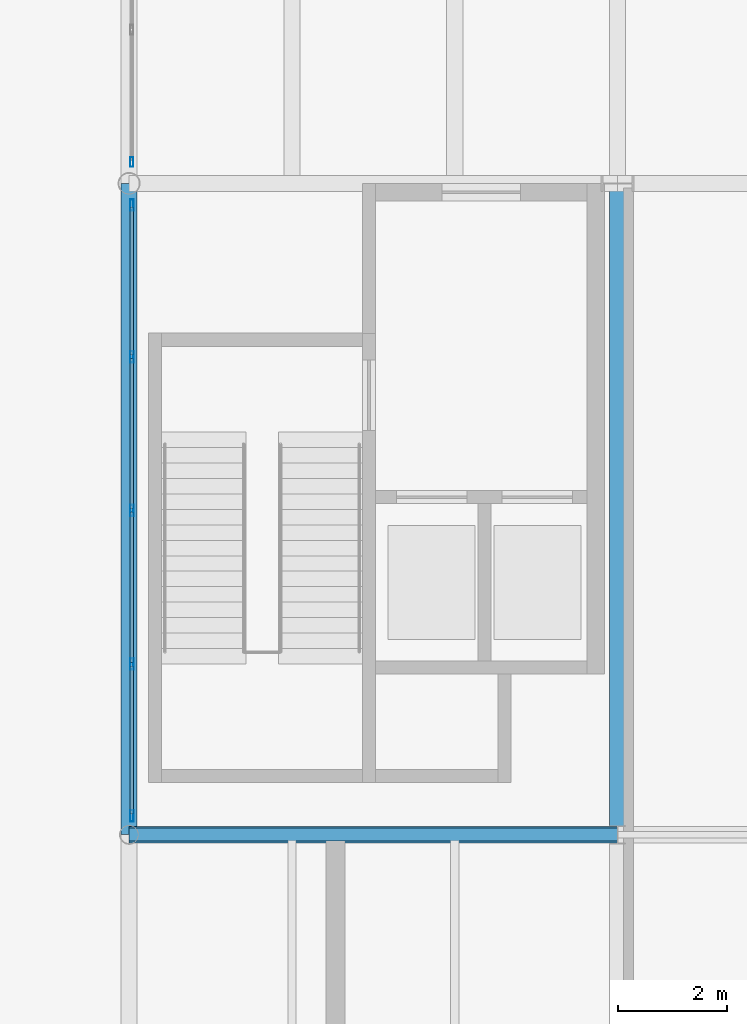
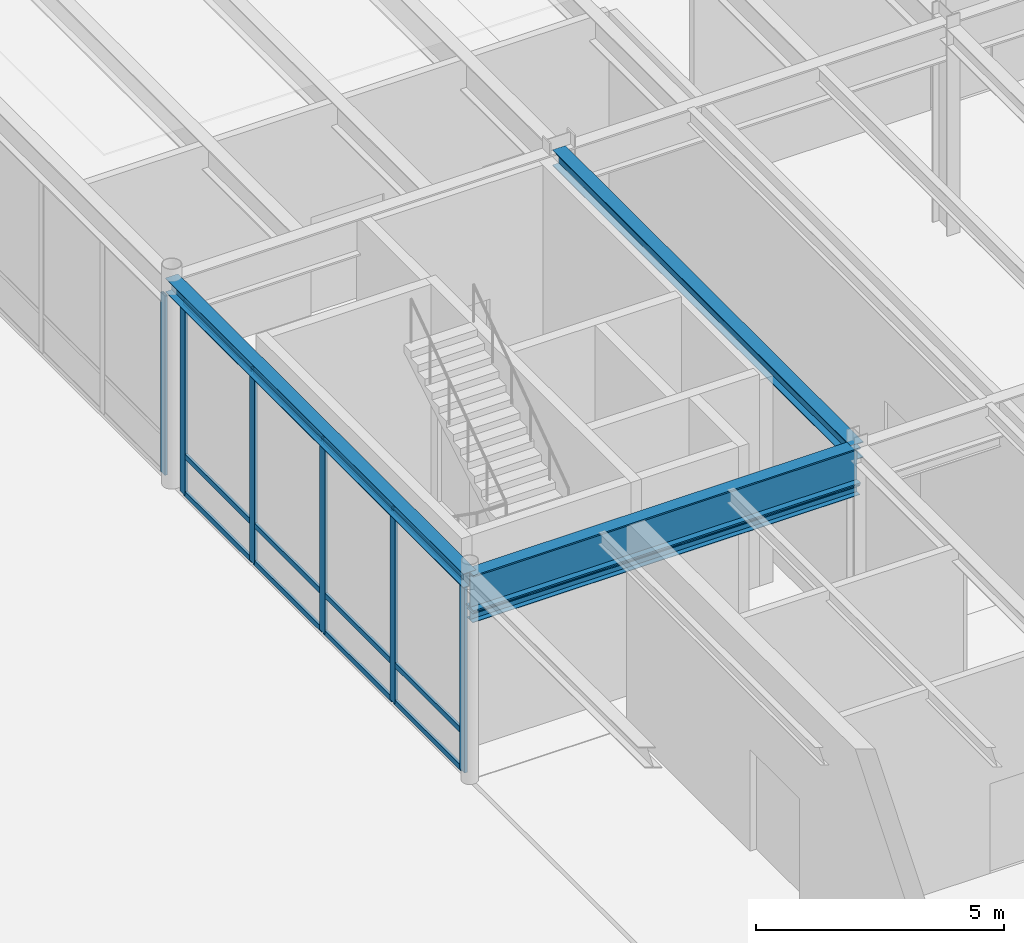
# One storey, part 76 of 143: 18 members, 4 beams, 2 elements without a shape of their own.
"""IFC4 building model written with IfcOpenShell, lengths in metres."""

from ifc_helpers import new_model, si_unit, direction, frame, origin, origin_2d, place, context, subcontext, project, spatial, hollow_rectangle, i_section, extrude, material, layer, layer_set, material_profile, profile_set, type_object, element, aggregate, save


model = new_model("IFC4")

# Units and contexts
model_context = context("Model", 3, precision=1e-05, world=origin(), true_north=direction((0.0, 1.0)))
body_context = subcontext(model_context, "Body", "Model", "MODEL_VIEW")
ifc_project = project(units=[si_unit("LENGTHUNIT", "METRE"), si_unit("AREAUNIT", "SQUARE_METRE"), si_unit("VOLUMEUNIT", "CUBIC_METRE"), si_unit("PLANEANGLEUNIT", "RADIAN"), si_unit("MASSUNIT", "GRAM", prefix="KILO")], contexts=[model_context])

# Site, building, storey
site_placement = place(None, origin())
site = spatial("IfcSite", under=ifc_project, at=site_placement, CompositionType="ELEMENT")
building_placement = place(site_placement, origin())
building = spatial("IfcBuilding", under=site, at=building_placement, Name="Montelvaro Courts of Justice", CompositionType="ELEMENT")
storey_placement = place(building_placement, origin())
storey = spatial("IfcBuildingStorey", under=building, at=storey_placement, Name="L00", CompositionType="ELEMENT", Elevation=0.0)

# Beams
ifc_material_1 = material(Name="Steel S355", Category="steel")
ifc_material_profile_1 = material_profile(ifc_material_1, i_section(OverallWidth=0.239990234375, OverallDepth=0.22998046875, WebThickness=0.007568359375, FlangeThickness=0.011962890625, at=origin_2d()), Name="HEA 240")
ifc_profile_set_1 = profile_set([ifc_material_profile_1], Name="Steel S355")
beam_type_1 = type_object("IfcBeamType", Name="Beam_HEA240", PredefinedType="LINTEL", material=ifc_profile_set_1)
beam_1_placement = place(storey_placement, frame((99.0, 66.0, 4.034912109375), z_axis=(1.0, 0.0, 0.0), x_axis=(0.0, 1.0, 0.0)))
element("IfcBeam", 1, at=beam_1_placement, inside=storey, type_object=beam_type_1, Name="Beam B-13 L00", PredefinedType="LINTEL", context=body_context, shape_type="SweptSolid", body=[
    extrude(i_section(OverallWidth=0.239990234375, OverallDepth=0.22998046875, WebThickness=0.007568359375, FlangeThickness=0.011962890625, at=origin_2d()), origin(), (0.0, 0.0, 1.0), 9.0),
])
ifc_material_profile_2 = material_profile(ifc_material_1, i_section(OverallWidth=0.300048828125, OverallDepth=0.35009765625, WebThickness=0.010009765625, FlangeThickness=0.017578125, at=origin_2d()), Name="HEA 360")
ifc_profile_set_2 = profile_set([ifc_material_profile_2], Name="Steel S355")
beam_type_2 = type_object("IfcBeamType", Name="Beam_HEA360", PredefinedType="USERDEFINED", material=ifc_profile_set_2)
beam_2_placement = place(storey_placement, frame((99.0, 66.0, 4.925048828125), z_axis=(0.0, 1.0, 0.0), x_axis=(-1.0, 0.0, 0.0)))
element("IfcBeam", 2, at=beam_2_placement, inside=storey, type_object=beam_type_2, Name="Beam B-16 L00", ObjectType="GIRDER", PredefinedType="USERDEFINED", context=body_context, shape_type="SweptSolid", body=[
    extrude(i_section(OverallWidth=0.300048828125, OverallDepth=0.35009765625, WebThickness=0.010009765625, FlangeThickness=0.017578125, at=origin_2d()), origin(), (0.0, 0.0, 1.0), 12.0),
])
ifc_material_profile_3 = material_profile(ifc_material_1, i_section(OverallWidth=0.300048828125, OverallDepth=0.389892578125, WebThickness=0.010986328125, FlangeThickness=0.01904296875, at=origin_2d()), Name="HEA 400")
ifc_profile_set_3 = profile_set([ifc_material_profile_3], Name="Steel S355")
beam_type_3 = type_object("IfcBeamType", Name="Beam_HEA400", PredefinedType="USERDEFINED", material=ifc_profile_set_3)
beam_3_placement = place(storey_placement, frame((108.0, 66.0, 4.905029296875), z_axis=(0.0, 1.0, 0.0), x_axis=(-1.0, 0.0, 0.0)))
element("IfcBeam", 3, at=beam_3_placement, inside=storey, type_object=beam_type_3, Name="Beam B-17 L00", ObjectType="GIRDER", PredefinedType="USERDEFINED", context=body_context, shape_type="SweptSolid", body=[
    extrude(i_section(OverallWidth=0.300048828125, OverallDepth=0.389892578125, WebThickness=0.010986328125, FlangeThickness=0.01904296875, at=origin_2d()), origin(), (0.0, 0.0, 1.0), 12.0),
])
ifc_material_profile_4 = material_profile(ifc_material_1, i_section(OverallWidth=0.300048828125, OverallDepth=0.89990234375, WebThickness=0.0185546875, FlangeThickness=0.034912109375, at=origin_2d()), Name="HEB 900")
ifc_profile_set_4 = profile_set([ifc_material_profile_4], Name="Steel S355")
beam_type_4 = type_object("IfcBeamType", Name="Beam_HEB900", PredefinedType="USERDEFINED", material=ifc_profile_set_4)
beam_4_placement = place(storey_placement, frame((99.0, 66.0, 4.64990234375), z_axis=(1.0, 0.0, 0.0), x_axis=(0.0, 1.0, 0.0)))
element("IfcBeam", 4, at=beam_4_placement, inside=storey, type_object=beam_type_4, Name="Beam B-30 L00", ObjectType="GIRDER", PredefinedType="USERDEFINED", context=body_context, shape_type="SweptSolid", body=[
    extrude(i_section(OverallWidth=0.300048828125, OverallDepth=0.89990234375, WebThickness=0.0185546875, FlangeThickness=0.034912109375, at=origin_2d()), origin(), (0.0, 0.0, 1.0), 9.0),
])

# Curtain wall, member
ifc_material_2 = material(Name="Anodised aluminium EN AW-6063", Category="aluminium")
ifc_layer_1 = layer(ifc_material_2, 0.159912109375)
ifc_layer_set_1 = layer_set([ifc_layer_1], Name="Anodised aluminium EN AW-6063")
curtain_wall_type_1 = type_object("IfcCurtainWallType", Name="CurtainWall_02_1727x508", PredefinedType="USERDEFINED", material=ifc_layer_set_1)
curtain_wall_1_placement = place(storey_placement, origin())
curtain_wall_1 = element("IfcCurtainWall", 5, at=curtain_wall_1_placement, inside=storey, type_object=curtain_wall_type_1, Name="Curtain Wall CW-02 (L00)", ObjectType="CURTAIN WALL", PredefinedType="USERDEFINED")
ifc_material_profile_5 = material_profile(ifc_material_2, hollow_rectangle(XDim=0.06005859375, YDim=0.179931640625, WallThickness=0.00439453125, at=origin_2d()), Name="ALU-M 60x180")
ifc_profile_set_5 = profile_set([ifc_material_profile_5], Name="Anodised aluminium EN AW-6063")
member_type_1 = type_object("IfcMemberType", Name="CurtainWall_Mullion_60x180", PredefinedType="MULLION", material=ifc_profile_set_5)
member_1_placement = place(storey_placement, frame((99.050048828125, 78.39501953125, 0.0), z_axis=(0.0, 0.0, 1.0), x_axis=(1.0, 0.0, 0.0)))
member_1 = element("IfcMember", 6, at=member_1_placement, type_object=member_type_1, Name="CW-02 mullion 8", PredefinedType="MULLION", context=body_context, shape_type="SweptSolid", body=[
    extrude(hollow_rectangle(XDim=0.06005859375, YDim=0.179931640625, WallThickness=0.00439453125, at=origin_2d()), origin(), (0.0, 0.0, 1.0), 4.405029296875),
])
aggregate(curtain_wall_1, [member_1])

# Curtain wall, members
ifc_layer_2 = layer(ifc_material_2, 0.159912109375)
ifc_layer_set_2 = layer_set([ifc_layer_2], Name="Anodised aluminium EN AW-6063")
curtain_wall_type_2 = type_object("IfcCurtainWallType", Name="CurtainWall_03_1132x508", PredefinedType="USERDEFINED", material=ifc_layer_set_2)
curtain_wall_2_placement = place(storey_placement, origin())
curtain_wall_2 = element("IfcCurtainWall", 7, at=curtain_wall_2_placement, inside=storey, type_object=curtain_wall_type_2, Name="Curtain Wall CW-03 (L00)", ObjectType="CURTAIN WALL", PredefinedType="USERDEFINED")
ifc_material_profile_6 = material_profile(ifc_material_2, hollow_rectangle(XDim=0.06494140625, YDim=0.2099609375, WallThickness=0.0048828125, at=origin_2d()), Name="ALU-M 65x210")
ifc_profile_set_6 = profile_set([ifc_material_profile_6], Name="Anodised aluminium EN AW-6063")
member_type_2 = type_object("IfcMemberType", Name="CurtainWall_Mullion_65x210", PredefinedType="MULLION", material=ifc_profile_set_6)
member_2_placement = place(storey_placement, frame((99.050048828125, 77.6025390625, 0.0), z_axis=(0.0, 0.0, 1.0), x_axis=(1.0, 0.0, 0.0)))
member_2 = element("IfcMember", 8, at=member_2_placement, type_object=member_type_2, Name="CW-03 mullion 1", PredefinedType="MULLION", context=body_context, shape_type="SweptSolid", body=[
    extrude(hollow_rectangle(XDim=0.06494140625, YDim=0.2099609375, WallThickness=0.0048828125, at=origin_2d()), origin(), (0.0, 0.0, 1.0), 4.7451171875),
])
member_3_placement = place(storey_placement, frame((99.050048828125, 74.804931640625, 0.0), z_axis=(0.0, 0.0, 1.0), x_axis=(1.0, 0.0, 0.0)))
member_3 = element("IfcMember", 9, at=member_3_placement, type_object=member_type_2, Name="CW-03 mullion 2", PredefinedType="MULLION", context=body_context, shape_type="SweptSolid", body=[
    extrude(hollow_rectangle(XDim=0.06494140625, YDim=0.2099609375, WallThickness=0.0048828125, at=origin_2d()), origin(), (0.0, 0.0, 1.0), 4.7451171875),
])
member_4_placement = place(storey_placement, frame((99.050048828125, 71.97509765625, 0.0), z_axis=(0.0, 0.0, 1.0), x_axis=(1.0, 0.0, 0.0)))
member_4 = element("IfcMember", 10, at=member_4_placement, type_object=member_type_2, Name="CW-03 mullion 3", PredefinedType="MULLION", context=body_context, shape_type="SweptSolid", body=[
    extrude(hollow_rectangle(XDim=0.06494140625, YDim=0.2099609375, WallThickness=0.0048828125, at=origin_2d()), origin(), (0.0, 0.0, 1.0), 4.7451171875),
])
member_5_placement = place(storey_placement, frame((99.050048828125, 69.14501953125, 0.0), z_axis=(0.0, 0.0, 1.0), x_axis=(1.0, 0.0, 0.0)))
member_5 = element("IfcMember", 11, at=member_5_placement, type_object=member_type_2, Name="CW-03 mullion 4", PredefinedType="MULLION", context=body_context, shape_type="SweptSolid", body=[
    extrude(hollow_rectangle(XDim=0.06494140625, YDim=0.2099609375, WallThickness=0.0048828125, at=origin_2d()), origin(), (0.0, 0.0, 1.0), 4.7451171875),
])
member_6_placement = place(storey_placement, frame((99.050048828125, 66.347412109375, 0.0), z_axis=(0.0, 0.0, 1.0), x_axis=(1.0, 0.0, 0.0)))
member_6 = element("IfcMember", 12, at=member_6_placement, type_object=member_type_2, Name="CW-03 mullion 5", PredefinedType="MULLION", context=body_context, shape_type="SweptSolid", body=[
    extrude(hollow_rectangle(XDim=0.06494140625, YDim=0.2099609375, WallThickness=0.0048828125, at=origin_2d()), origin(), (0.0, 0.0, 1.0), 4.7451171875),
])
ifc_material_profile_7 = material_profile(ifc_material_2, hollow_rectangle(XDim=0.06005859375, YDim=0.1298828125, WallThickness=0.00390625, at=origin_2d()), Name="ALU-T 60x130")
ifc_profile_set_7 = profile_set([ifc_material_profile_7], Name="Anodised aluminium EN AW-6063")
member_type_3 = type_object("IfcMemberType", Name="CurtainWall_Transom_60x130", PredefinedType="USERDEFINED", material=ifc_profile_set_7)
member_7_placement = place(storey_placement, frame((99.050048828125, 77.570068359375, 0.030029296875), z_axis=(0.0, -1.0, 0.0), x_axis=(1.0, 0.0, 0.0)))
member_7 = element("IfcMember", 13, at=member_7_placement, type_object=member_type_3, Name="CW-03 transom 1.1", ObjectType="TRANSOM", PredefinedType="USERDEFINED", context=body_context, shape_type="SweptSolid", body=[
    extrude(hollow_rectangle(XDim=0.06005859375, YDim=0.1298828125, WallThickness=0.00390625, at=origin_2d()), origin(), (0.0, 0.0, 1.0), 2.732666015625),
])
member_8_placement = place(storey_placement, frame((99.050048828125, 77.570068359375, 0.949951171875), z_axis=(0.0, -1.0, 0.0), x_axis=(1.0, 0.0, 0.0)))
member_8 = element("IfcMember", 14, at=member_8_placement, type_object=member_type_3, Name="CW-03 transom 1.2", ObjectType="TRANSOM", PredefinedType="USERDEFINED", context=body_context, shape_type="SweptSolid", body=[
    extrude(hollow_rectangle(XDim=0.06005859375, YDim=0.1298828125, WallThickness=0.00390625, at=origin_2d()), origin(), (0.0, 0.0, 1.0), 2.732666015625),
])
member_9_placement = place(storey_placement, frame((99.050048828125, 77.570068359375, 4.715087890625), z_axis=(0.0, -1.0, 0.0), x_axis=(1.0, 0.0, 0.0)))
member_9 = element("IfcMember", 15, at=member_9_placement, type_object=member_type_3, Name="CW-03 transom 1.3", ObjectType="TRANSOM", PredefinedType="USERDEFINED", context=body_context, shape_type="SweptSolid", body=[
    extrude(hollow_rectangle(XDim=0.06005859375, YDim=0.1298828125, WallThickness=0.00390625, at=origin_2d()), origin(), (0.0, 0.0, 1.0), 2.732666015625),
])
member_10_placement = place(storey_placement, frame((99.050048828125, 74.7724609375, 0.030029296875), z_axis=(0.0, -1.0, 0.0), x_axis=(1.0, 0.0, 0.0)))
member_10 = element("IfcMember", 16, at=member_10_placement, type_object=member_type_3, Name="CW-03 transom 2.1", ObjectType="TRANSOM", PredefinedType="USERDEFINED", context=body_context, shape_type="SweptSolid", body=[
    extrude(hollow_rectangle(XDim=0.06005859375, YDim=0.1298828125, WallThickness=0.00390625, at=origin_2d()), origin(), (0.0, 0.0, 1.0), 2.764892578125),
])
member_11_placement = place(storey_placement, frame((99.050048828125, 74.7724609375, 0.949951171875), z_axis=(0.0, -1.0, 0.0), x_axis=(1.0, 0.0, 0.0)))
member_11 = element("IfcMember", 17, at=member_11_placement, type_object=member_type_3, Name="CW-03 transom 2.2", ObjectType="TRANSOM", PredefinedType="USERDEFINED", context=body_context, shape_type="SweptSolid", body=[
    extrude(hollow_rectangle(XDim=0.06005859375, YDim=0.1298828125, WallThickness=0.00390625, at=origin_2d()), origin(), (0.0, 0.0, 1.0), 2.764892578125),
])
member_12_placement = place(storey_placement, frame((99.050048828125, 74.7724609375, 4.715087890625), z_axis=(0.0, -1.0, 0.0), x_axis=(1.0, 0.0, 0.0)))
member_12 = element("IfcMember", 18, at=member_12_placement, type_object=member_type_3, Name="CW-03 transom 2.3", ObjectType="TRANSOM", PredefinedType="USERDEFINED", context=body_context, shape_type="SweptSolid", body=[
    extrude(hollow_rectangle(XDim=0.06005859375, YDim=0.1298828125, WallThickness=0.00390625, at=origin_2d()), origin(), (0.0, 0.0, 1.0), 2.764892578125),
])
member_13_placement = place(storey_placement, frame((99.050048828125, 71.9423828125, 0.030029296875), z_axis=(0.0, -1.0, 0.0), x_axis=(1.0, 0.0, 0.0)))
member_13 = element("IfcMember", 19, at=member_13_placement, type_object=member_type_3, Name="CW-03 transom 3.1", ObjectType="TRANSOM", PredefinedType="USERDEFINED", context=body_context, shape_type="SweptSolid", body=[
    extrude(hollow_rectangle(XDim=0.06005859375, YDim=0.1298828125, WallThickness=0.00390625, at=origin_2d()), origin(), (0.0, 0.0, 1.0), 2.764892578125),
])
member_14_placement = place(storey_placement, frame((99.050048828125, 71.9423828125, 0.949951171875), z_axis=(0.0, -1.0, 0.0), x_axis=(1.0, 0.0, 0.0)))
member_14 = element("IfcMember", 20, at=member_14_placement, type_object=member_type_3, Name="CW-03 transom 3.2", ObjectType="TRANSOM", PredefinedType="USERDEFINED", context=body_context, shape_type="SweptSolid", body=[
    extrude(hollow_rectangle(XDim=0.06005859375, YDim=0.1298828125, WallThickness=0.00390625, at=origin_2d()), origin(), (0.0, 0.0, 1.0), 2.764892578125),
])
member_15_placement = place(storey_placement, frame((99.050048828125, 71.9423828125, 4.715087890625), z_axis=(0.0, -1.0, 0.0), x_axis=(1.0, 0.0, 0.0)))
member_15 = element("IfcMember", 21, at=member_15_placement, type_object=member_type_3, Name="CW-03 transom 3.3", ObjectType="TRANSOM", PredefinedType="USERDEFINED", context=body_context, shape_type="SweptSolid", body=[
    extrude(hollow_rectangle(XDim=0.06005859375, YDim=0.1298828125, WallThickness=0.00390625, at=origin_2d()), origin(), (0.0, 0.0, 1.0), 2.764892578125),
])
member_16_placement = place(storey_placement, frame((99.050048828125, 69.112548828125, 0.030029296875), z_axis=(0.0, -1.0, 0.0), x_axis=(1.0, 0.0, 0.0)))
member_16 = element("IfcMember", 22, at=member_16_placement, type_object=member_type_3, Name="CW-03 transom 4.1", ObjectType="TRANSOM", PredefinedType="USERDEFINED", context=body_context, shape_type="SweptSolid", body=[
    extrude(hollow_rectangle(XDim=0.06005859375, YDim=0.1298828125, WallThickness=0.00390625, at=origin_2d()), origin(), (0.0, 0.0, 1.0), 2.732666015625),
])
member_17_placement = place(storey_placement, frame((99.050048828125, 69.112548828125, 0.949951171875), z_axis=(0.0, -1.0, 0.0), x_axis=(1.0, 0.0, 0.0)))
member_17 = element("IfcMember", 23, at=member_17_placement, type_object=member_type_3, Name="CW-03 transom 4.2", ObjectType="TRANSOM", PredefinedType="USERDEFINED", context=body_context, shape_type="SweptSolid", body=[
    extrude(hollow_rectangle(XDim=0.06005859375, YDim=0.1298828125, WallThickness=0.00390625, at=origin_2d()), origin(), (0.0, 0.0, 1.0), 2.732666015625),
])
member_18_placement = place(storey_placement, frame((99.050048828125, 69.112548828125, 4.715087890625), z_axis=(0.0, -1.0, 0.0), x_axis=(1.0, 0.0, 0.0)))
member_18 = element("IfcMember", 24, at=member_18_placement, type_object=member_type_3, Name="CW-03 transom 4.3", ObjectType="TRANSOM", PredefinedType="USERDEFINED", context=body_context, shape_type="SweptSolid", body=[
    extrude(hollow_rectangle(XDim=0.06005859375, YDim=0.1298828125, WallThickness=0.00390625, at=origin_2d()), origin(), (0.0, 0.0, 1.0), 2.732666015625),
])
aggregate(curtain_wall_2, [member_2, member_3, member_4, member_5, member_6, member_7, member_8, member_9, member_10, member_11, member_12, member_13, member_14, member_15, member_16, member_17, member_18])

save(model, "model.ifc")
